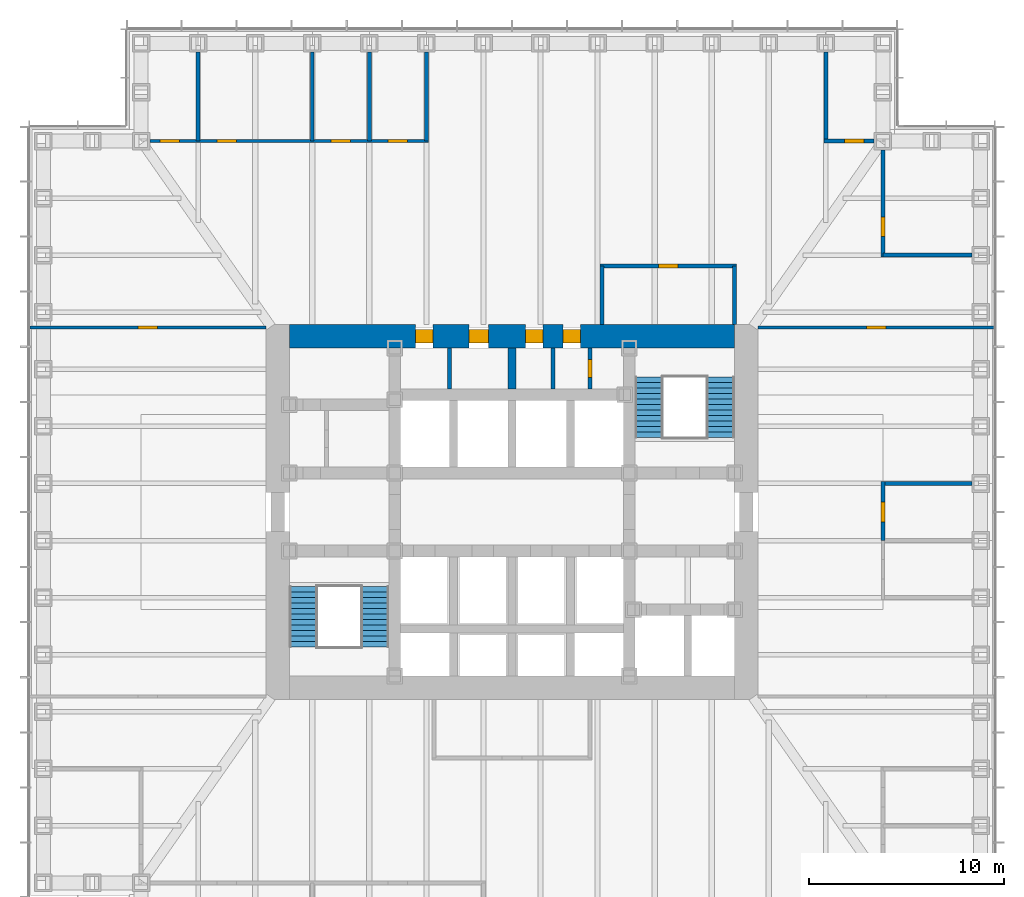
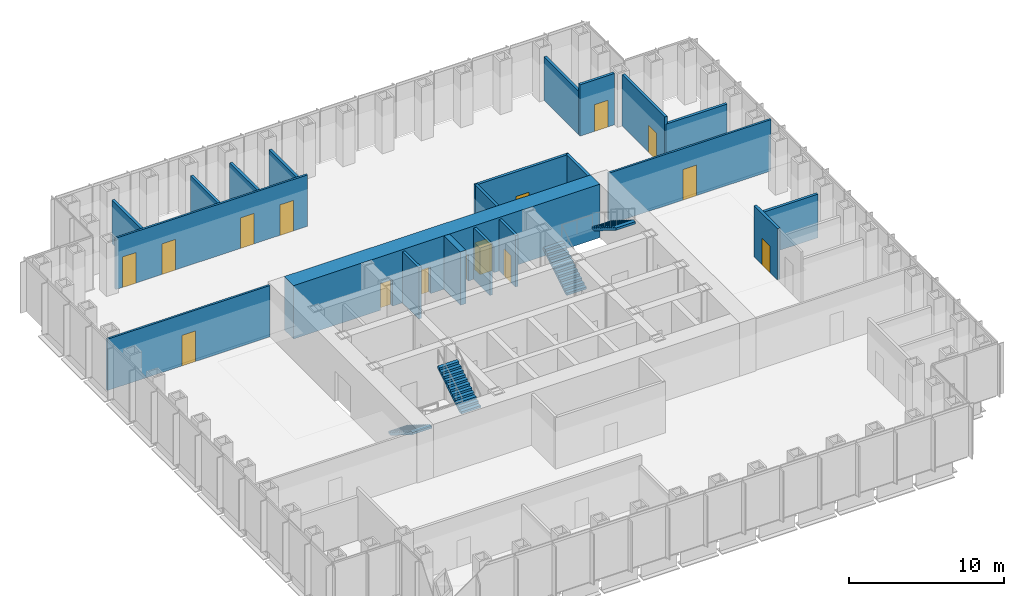
# One storey, part 10 of 16: 21 walls, 15 doors, 4 stair flights, 15 openings, 2 elements without a shape of their own.
"""IFC4 building model written with IfcOpenShell, lengths in metres."""

from ifc_helpers import new_model, si_unit, direction, frame, frame_2d, origin, place, context, subcontext, project, spatial, polyline, rectangle, outline, extrude, material, layer, layer_set, type_object, element, fill, aggregate, save


model = new_model("IFC4")

# Units and contexts
model_context = context("Model", 3, precision=1e-05, world=origin(), true_north=direction((0.0, 1.0)))
body_context = subcontext(model_context, "Body", "Model", "MODEL_VIEW")
ifc_project = project(units=[si_unit("LENGTHUNIT", "METRE"), si_unit("AREAUNIT", "SQUARE_METRE"), si_unit("VOLUMEUNIT", "CUBIC_METRE"), si_unit("PLANEANGLEUNIT", "RADIAN"), si_unit("MASSUNIT", "GRAM", prefix="KILO")], contexts=[model_context])

# Site, building, storey
site_placement = place(None, origin())
site = spatial("IfcSite", under=ifc_project, at=site_placement, CompositionType="ELEMENT")
building_placement = place(site_placement, origin())
building = spatial("IfcBuilding", under=site, at=building_placement, Name="Daluyong Arena Tower", CompositionType="ELEMENT")
storey_placement = place(building_placement, frame((0.0, 0.0, 64.300048828125)))
storey = spatial("IfcBuildingStorey", under=building, at=storey_placement, Name="L13", CompositionType="ELEMENT", Elevation=64.300048828125)

# Wall, openings, doors
ifc_material_1 = material(Name="Concrete fc' 60 MPa", Category="concrete")
ifc_layer_1 = layer(ifc_material_1, 1.199951171875)
ifc_layer_set_1 = layer_set([ifc_layer_1], Name="Concrete fc' 60 MPa")
wall_type_1 = type_object("IfcWallType", Name="Core wall 1200", PredefinedType="SHEAR", material=ifc_layer_set_1)
wall_1_placement = place(storey_placement, frame((44.60009765625, 89.0, 0.0), z_axis=(0.0, 0.0, 1.0), x_axis=(1.0, 0.0, 0.0)))
wall_1 = element("IfcWall", 1, at=wall_1_placement, inside=storey, type_object=wall_type_1, Name="core wall at L13", PredefinedType="SHEAR", context=body_context, shape_type="SweptSolid", body=[
    extrude(rectangle(XDim=22.7998046875, YDim=1.199951171875, at=frame_2d((11.39990234375, 0.0))), origin(), (0.0, 0.0, 1.0), 4.199951171875),
])
opening_1_placement = place(wall_1_placement, frame((9.199951171875, 0.0, 0.0)))
opening_1 = element("IfcOpeningElement", 2, at=opening_1_placement, cuts=wall_1, Name="Opening 13004", PredefinedType="OPENING", context=body_context, shape_type="SweptSolid", body=[
    extrude(rectangle(XDim=1.0, YDim=2.10009765625, at=frame_2d((0.5, 1.050048828125))), frame((0.0, 0.60986328125, 0.0), z_axis=(0.0, -1.0, 0.0), x_axis=(1.0, 0.0, 0.0)), (0.0, 0.0, 1.0), 1.219970703125),
])
opening_2_placement = place(wall_1_placement, frame((6.449951171875, 0.0, 0.0)))
opening_2 = element("IfcOpeningElement", 3, at=opening_2_placement, cuts=wall_1, Name="Opening 13005", PredefinedType="OPENING", context=body_context, shape_type="SweptSolid", body=[
    extrude(rectangle(XDim=0.89990234375, YDim=2.10009765625, at=frame_2d((0.449951171875, 1.050048828125))), frame((0.0, 0.60986328125, 0.0), z_axis=(0.0, -1.0, 0.0), x_axis=(1.0, 0.0, 0.0)), (0.0, 0.0, 1.0), 1.219970703125),
])
opening_3_placement = place(wall_1_placement, frame((12.10009765625, 0.0, 0.0)))
opening_3 = element("IfcOpeningElement", 4, at=opening_3_placement, cuts=wall_1, Name="Opening 13006", PredefinedType="OPENING", context=body_context, shape_type="SweptSolid", body=[
    extrude(rectangle(XDim=0.89990234375, YDim=2.10009765625, at=frame_2d((0.449951171875, 1.050048828125))), frame((0.0, 0.60986328125, 0.0), z_axis=(0.0, -1.0, 0.0), x_axis=(1.0, 0.0, 0.0)), (0.0, 0.0, 1.0), 1.219970703125),
])
opening_4_placement = place(wall_1_placement, frame((14.0, 0.0, 0.0)))
opening_4 = element("IfcOpeningElement", 5, at=opening_4_placement, cuts=wall_1, Name="Opening 13007", PredefinedType="OPENING", context=body_context, shape_type="SweptSolid", body=[
    extrude(rectangle(XDim=0.89990234375, YDim=2.10009765625, at=frame_2d((0.449951171875, 1.050048828125))), frame((0.0, 0.60986328125, 0.0), z_axis=(0.0, -1.0, 0.0), x_axis=(1.0, 0.0, 0.0)), (0.0, 0.0, 1.0), 1.219970703125),
])
ifc_material_2 = material(Name="Timber door", Category="wood")
door_type_1 = type_object("IfcDoorType", Name="Accessible toilet door 1000", OperationType="SINGLE_SWING_LEFT", PredefinedType="DOOR", material=ifc_material_2)
door_1_placement = place(opening_1_placement, origin())
door_1 = element("IfcDoor", 6, at=door_1_placement, inside=storey, type_object=door_type_1, Name="accessible toilet door 13004", OperationType="SINGLE_SWING_LEFT", OverallHeight=2.10009765625, OverallWidth=1.0, PredefinedType="DOOR", context=body_context, shape_type="SweptSolid", body=[
    extrude(rectangle(XDim=1.0, YDim=2.10009765625, at=frame_2d((0.5, 1.050048828125))), frame((0.0, 0.35009765625, 0.0), z_axis=(0.0, -1.0, 0.0), x_axis=(1.0, 0.0, 0.0)), (0.0, 0.0, 1.0), 0.699951171875),
])
fill(opening_1, door_1)
ifc_material_3 = material(Name="Steel door, fire rated", Category="steel")
door_type_2 = type_object("IfcDoorType", Name="Core room door 900", OperationType="SINGLE_SWING_LEFT", PredefinedType="DOOR", material=ifc_material_3)
door_2_placement = place(opening_3_placement, origin())
door_2 = element("IfcDoor", 7, at=door_2_placement, inside=storey, type_object=door_type_2, Name="tea point door 13006", OperationType="SINGLE_SWING_LEFT", OverallHeight=2.10009765625, OverallWidth=0.89990234375, PredefinedType="DOOR", context=body_context, shape_type="SweptSolid", body=[
    extrude(rectangle(XDim=0.89990234375, YDim=2.10009765625, at=frame_2d((0.449951171875, 1.050048828125))), frame((0.0, 0.35009765625, 0.0), z_axis=(0.0, -1.0, 0.0), x_axis=(1.0, 0.0, 0.0)), (0.0, 0.0, 1.0), 0.699951171875),
])
fill(opening_3, door_2)
ifc_material_4 = material(Name="Steel door, fire rated", Category="steel")
door_type_3 = type_object("IfcDoorType", Name="Core store door 900", OperationType="SINGLE_SWING_LEFT", PredefinedType="DOOR", material=ifc_material_4)
door_3_placement = place(opening_2_placement, origin())
door_3 = element("IfcDoor", 8, at=door_3_placement, inside=storey, type_object=door_type_3, Name="facilities store door 13005", OperationType="SINGLE_SWING_LEFT", OverallHeight=2.10009765625, OverallWidth=0.89990234375, PredefinedType="DOOR", context=body_context, shape_type="SweptSolid", body=[
    extrude(rectangle(XDim=0.89990234375, YDim=2.10009765625, at=frame_2d((0.449951171875, 1.050048828125))), frame((0.0, 0.35009765625, 0.0), z_axis=(0.0, -1.0, 0.0), x_axis=(1.0, 0.0, 0.0)), (0.0, 0.0, 1.0), 0.699951171875),
])
fill(opening_2, door_3)
door_4_placement = place(opening_4_placement, origin())
door_4 = element("IfcDoor", 9, at=door_4_placement, inside=storey, type_object=door_type_3, Name="cleaner's store door 13007", OperationType="SINGLE_SWING_LEFT", OverallHeight=2.10009765625, OverallWidth=0.89990234375, PredefinedType="DOOR", context=body_context, shape_type="SweptSolid", body=[
    extrude(rectangle(XDim=0.89990234375, YDim=2.10009765625, at=frame_2d((0.449951171875, 1.050048828125))), frame((0.0, 0.35009765625, 0.0), z_axis=(0.0, -1.0, 0.0), x_axis=(1.0, 0.0, 0.0)), (0.0, 0.0, 1.0), 0.699951171875),
])
fill(opening_4, door_4)

# Wall
ifc_material_5 = material(Name="Concrete block partition, fire rated", Category="concrete")
ifc_layer_2 = layer(ifc_material_5, 0.199951171875)
ifc_layer_set_2 = layer_set([ifc_layer_2], Name="Concrete block partition, fire rated")
wall_type_2 = type_object("IfcWallType", Name="Fire-rated partition 200", PredefinedType="PARTITIONING", material=ifc_layer_set_2)
wall_2_placement = place(storey_placement, frame((52.800048828125, 86.300048828125, 0.0), z_axis=(0.0, 0.0, 1.0), x_axis=(0.0, 1.0, 0.0)))
element("IfcWall", 10, at=wall_2_placement, inside=storey, type_object=wall_type_2, Name="core room partition at L13", PredefinedType="PARTITIONING", context=body_context, shape_type="SweptSolid", body=[
    extrude(rectangle(XDim=2.099853515625, YDim=0.199951171875, at=frame_2d((1.0498046875, 0.0))), origin(), (0.0, 0.0, 1.0), 4.0400390625),
])

# Wall, opening, door
wall_3_placement = place(storey_placement, frame((60.0, 86.300048828125, 0.0), z_axis=(0.0, 0.0, 1.0), x_axis=(0.0, 1.0, 0.0)))
wall_3 = element("IfcWall", 11, at=wall_3_placement, inside=storey, type_object=wall_type_2, Name="electrical riser enclosure at L13", PredefinedType="PARTITIONING", context=body_context, shape_type="SweptSolid", body=[
    extrude(rectangle(XDim=2.099853515625, YDim=0.199951171875, at=frame_2d((1.0498046875, 0.0))), origin(), (0.0, 0.0, 1.0), 4.0400390625),
])
opening_5_placement = place(wall_3_placement, frame((0.60009765625, 0.0, 0.0)))
opening_5 = element("IfcOpeningElement", 12, at=opening_5_placement, cuts=wall_3, Name="Opening 13008", PredefinedType="OPENING", context=body_context, shape_type="SweptSolid", body=[
    extrude(rectangle(XDim=0.89990234375, YDim=2.10009765625, at=frame_2d((0.449951171875, 1.050048828125))), frame((0.0, 0.10986328125, 0.0), z_axis=(0.0, -1.0, 0.0), x_axis=(1.0, 0.0, 0.0)), (0.0, 0.0, 1.0), 0.219970703125),
])
ifc_material_6 = material(Name="Steel door, fire rated", Category="steel")
door_type_4 = type_object("IfcDoorType", Name="Riser door 900", OperationType="SINGLE_SWING_LEFT", PredefinedType="DOOR", material=ifc_material_6)
door_5_placement = place(opening_5_placement, origin())
door_5 = element("IfcDoor", 13, at=door_5_placement, inside=storey, type_object=door_type_4, Name="riser door 13008", OperationType="SINGLE_SWING_LEFT", OverallHeight=2.10009765625, OverallWidth=0.89990234375, PredefinedType="DOOR", context=body_context, shape_type="SweptSolid", body=[
    extrude(rectangle(XDim=0.89990234375, YDim=2.10009765625, at=frame_2d((0.449951171875, 1.050048828125))), frame((0.0, 0.099609375, 0.0), z_axis=(0.0, -1.0, 0.0), x_axis=(1.0, 0.0, 0.0)), (0.0, 0.0, 1.0), 0.199462890625),
])
fill(opening_5, door_5)

# Wall
wall_4_placement = place(storey_placement, frame((58.10009765625, 86.300048828125, 0.0), z_axis=(0.0, 0.0, 1.0), x_axis=(0.0, 1.0, 0.0)))
element("IfcWall", 14, at=wall_4_placement, inside=storey, type_object=wall_type_2, Name="core room partition at L13", PredefinedType="PARTITIONING", context=body_context, shape_type="SweptSolid", body=[
    extrude(rectangle(XDim=2.099853515625, YDim=0.199951171875, at=frame_2d((1.0498046875, 0.0))), origin(), (0.0, 0.0, 1.0), 4.0400390625),
])

# Wall, opening, door
ifc_material_7 = material(Name="Glazed aluminium partition", Category="aluminium")
ifc_layer_3 = layer(ifc_material_7, 0.14990234375)
ifc_layer_set_3 = layer_set([ifc_layer_3], Name="Glazed aluminium partition")
wall_type_3 = type_object("IfcWallType", Name="Glazed partition 150", PredefinedType="PARTITIONING", material=ifc_layer_set_3)
wall_5_placement = place(storey_placement, frame((31.31005859375, 89.449951171875, 0.0), z_axis=(0.0, 0.0, 1.0), x_axis=(1.0, 0.0, 0.0)))
wall_5 = element("IfcWall", 15, at=wall_5_placement, inside=storey, type_object=wall_type_3, Name="glazed partition at L13", PredefinedType="PARTITIONING", context=body_context, shape_type="SweptSolid", body=[
    extrude(rectangle(XDim=12.08984375, YDim=0.14990234375, at=frame_2d((6.044921875, 0.0))), origin(), (0.0, 0.0, 1.0), 4.0400390625),
])
opening_6_placement = place(wall_5_placement, frame((5.544921875, 0.0, 0.0)))
opening_6 = element("IfcOpeningElement", 16, at=opening_6_placement, cuts=wall_5, Name="Opening 13038", PredefinedType="OPENING", context=body_context, shape_type="SweptSolid", body=[
    extrude(rectangle(XDim=1.0, YDim=2.39990234375, at=frame_2d((0.5, 1.199951171875))), frame((0.0, 0.0849609375, 0.0), z_axis=(0.0, -1.0, 0.0), x_axis=(1.0, 0.0, 0.0)), (0.0, 0.0, 1.0), 0.169921875),
])
ifc_material_8 = material(Name="Glazed aluminium door", Category="aluminium")
door_type_5 = type_object("IfcDoorType", Name="Meeting room glazed door 1000", OperationType="SINGLE_SWING_RIGHT", PredefinedType="DOOR", material=ifc_material_8)
door_6_placement = place(opening_6_placement, origin())
door_6 = element("IfcDoor", 17, at=door_6_placement, inside=storey, type_object=door_type_5, Name="team area screen door 13038", OperationType="SINGLE_SWING_RIGHT", OverallHeight=2.39990234375, OverallWidth=1.0, PredefinedType="DOOR", context=body_context, shape_type="SweptSolid", body=[
    extrude(rectangle(XDim=1.0, YDim=2.39990234375, at=frame_2d((0.5, 1.199951171875))), frame((0.0, 0.07470703125, 0.0), z_axis=(0.0, -1.0, 0.0), x_axis=(1.0, 0.0, 0.0)), (0.0, 0.0, 1.0), 0.1494140625),
])
fill(opening_6, door_6)

wall_6_placement = place(storey_placement, frame((68.60009765625, 89.449951171875, 0.0), z_axis=(0.0, 0.0, 1.0), x_axis=(1.0, 0.0, 0.0)))
wall_6 = element("IfcWall", 18, at=wall_6_placement, inside=storey, type_object=wall_type_3, Name="glazed partition at L13", PredefinedType="PARTITIONING", context=body_context, shape_type="SweptSolid", body=[
    extrude(rectangle(XDim=12.08984375, YDim=0.14990234375, at=frame_2d((6.044921875, 0.0))), origin(), (0.0, 0.0, 1.0), 4.0400390625),
])
opening_7_placement = place(wall_6_placement, frame((5.544921875, 0.0, 0.0)))
opening_7 = element("IfcOpeningElement", 19, at=opening_7_placement, cuts=wall_6, Name="Opening 13040", PredefinedType="OPENING", context=body_context, shape_type="SweptSolid", body=[
    extrude(rectangle(XDim=1.0, YDim=2.39990234375, at=frame_2d((0.5, 1.199951171875))), frame((0.0, 0.0849609375, 0.0), z_axis=(0.0, -1.0, 0.0), x_axis=(1.0, 0.0, 0.0)), (0.0, 0.0, 1.0), 0.169921875),
])
door_7_placement = place(opening_7_placement, origin())
door_7 = element("IfcDoor", 20, at=door_7_placement, inside=storey, type_object=door_type_5, Name="team area screen door 13040", OperationType="SINGLE_SWING_RIGHT", OverallHeight=2.39990234375, OverallWidth=1.0, PredefinedType="DOOR", context=body_context, shape_type="SweptSolid", body=[
    extrude(rectangle(XDim=1.0, YDim=2.39990234375, at=frame_2d((0.5, 1.199951171875))), frame((0.0, 0.07470703125, 0.0), z_axis=(0.0, -1.0, 0.0), x_axis=(1.0, 0.0, 0.0)), (0.0, 0.0, 1.0), 0.1494140625),
])
fill(opening_7, door_7)

# Wall, openings, doors
wall_7_placement = place(storey_placement, frame((37.449951171875, 99.0, 0.0), z_axis=(0.0, 0.0, 1.0), x_axis=(1.0, 0.0, 0.0)))
wall_7 = element("IfcWall", 21, at=wall_7_placement, inside=storey, type_object=wall_type_3, Name="glazed partition at L13", PredefinedType="PARTITIONING", context=body_context, shape_type="SweptSolid", body=[
    extrude(rectangle(XDim=14.265380859375, YDim=0.14990234375, at=frame_2d((7.1328125, 0.0))), origin(), (0.0, 0.0, 1.0), 4.0400390625),
])
opening_8_placement = place(wall_7_placement, frame((0.511474609375, 0.0, 0.0)))
opening_8 = element("IfcOpeningElement", 22, at=opening_8_placement, cuts=wall_7, Name="Opening 13029", PredefinedType="OPENING", context=body_context, shape_type="SweptSolid", body=[
    extrude(rectangle(XDim=1.0, YDim=2.39990234375, at=frame_2d((0.5, 1.199951171875))), frame((0.0, 0.0849609375, 0.0), z_axis=(0.0, -1.0, 0.0), x_axis=(1.0, 0.0, 0.0)), (0.0, 0.0, 1.0), 0.169921875),
])
opening_9_placement = place(wall_7_placement, frame((3.4345703125, 0.0, 0.0)))
opening_9 = element("IfcOpeningElement", 23, at=opening_9_placement, cuts=wall_7, Name="Opening 13030", PredefinedType="OPENING", context=body_context, shape_type="SweptSolid", body=[
    extrude(rectangle(XDim=1.0, YDim=2.39990234375, at=frame_2d((0.5, 1.199951171875))), frame((0.0, 0.0849609375, 0.0), z_axis=(0.0, -1.0, 0.0), x_axis=(1.0, 0.0, 0.0)), (0.0, 0.0, 1.0), 0.169921875),
])
opening_10_placement = place(wall_7_placement, frame((9.28076171875, 0.0, 0.0)))
opening_10 = element("IfcOpeningElement", 24, at=opening_10_placement, cuts=wall_7, Name="Opening 13031", PredefinedType="OPENING", context=body_context, shape_type="SweptSolid", body=[
    extrude(rectangle(XDim=1.0, YDim=2.39990234375, at=frame_2d((0.5, 1.199951171875))), frame((0.0, 0.0849609375, 0.0), z_axis=(0.0, -1.0, 0.0), x_axis=(1.0, 0.0, 0.0)), (0.0, 0.0, 1.0), 0.169921875),
])
opening_11_placement = place(wall_7_placement, frame((12.203857421875, 0.0, 0.0)))
opening_11 = element("IfcOpeningElement", 25, at=opening_11_placement, cuts=wall_7, Name="Opening 13032", PredefinedType="OPENING", context=body_context, shape_type="SweptSolid", body=[
    extrude(rectangle(XDim=1.0, YDim=2.39990234375, at=frame_2d((0.5, 1.199951171875))), frame((0.0, 0.0849609375, 0.0), z_axis=(0.0, -1.0, 0.0), x_axis=(1.0, 0.0, 0.0)), (0.0, 0.0, 1.0), 0.169921875),
])
door_8_placement = place(opening_8_placement, origin())
door_8 = element("IfcDoor", 26, at=door_8_placement, inside=storey, type_object=door_type_5, Name="meeting room door 13029", OperationType="SINGLE_SWING_RIGHT", OverallHeight=2.39990234375, OverallWidth=1.0, PredefinedType="DOOR", context=body_context, shape_type="SweptSolid", body=[
    extrude(rectangle(XDim=1.0, YDim=2.39990234375, at=frame_2d((0.5, 1.199951171875))), frame((0.0, 0.07470703125, 0.0), z_axis=(0.0, -1.0, 0.0), x_axis=(1.0, 0.0, 0.0)), (0.0, 0.0, 1.0), 0.1494140625),
])
fill(opening_8, door_8)
door_9_placement = place(opening_9_placement, origin())
door_9 = element("IfcDoor", 27, at=door_9_placement, inside=storey, type_object=door_type_5, Name="meeting room door 13030", OperationType="SINGLE_SWING_RIGHT", OverallHeight=2.39990234375, OverallWidth=1.0, PredefinedType="DOOR", context=body_context, shape_type="SweptSolid", body=[
    extrude(rectangle(XDim=1.0, YDim=2.39990234375, at=frame_2d((0.5, 1.199951171875))), frame((0.0, 0.07470703125, 0.0), z_axis=(0.0, -1.0, 0.0), x_axis=(1.0, 0.0, 0.0)), (0.0, 0.0, 1.0), 0.1494140625),
])
fill(opening_9, door_9)
door_10_placement = place(opening_10_placement, origin())
door_10 = element("IfcDoor", 28, at=door_10_placement, inside=storey, type_object=door_type_5, Name="focus room door 13031", OperationType="SINGLE_SWING_RIGHT", OverallHeight=2.39990234375, OverallWidth=1.0, PredefinedType="DOOR", context=body_context, shape_type="SweptSolid", body=[
    extrude(rectangle(XDim=1.0, YDim=2.39990234375, at=frame_2d((0.5, 1.199951171875))), frame((0.0, 0.07470703125, 0.0), z_axis=(0.0, -1.0, 0.0), x_axis=(1.0, 0.0, 0.0)), (0.0, 0.0, 1.0), 0.1494140625),
])
fill(opening_10, door_10)
door_11_placement = place(opening_11_placement, origin())
door_11 = element("IfcDoor", 29, at=door_11_placement, inside=storey, type_object=door_type_5, Name="focus room door 13032", OperationType="SINGLE_SWING_RIGHT", OverallHeight=2.39990234375, OverallWidth=1.0, PredefinedType="DOOR", context=body_context, shape_type="SweptSolid", body=[
    extrude(rectangle(XDim=1.0, YDim=2.39990234375, at=frame_2d((0.5, 1.199951171875))), frame((0.0, 0.07470703125, 0.0), z_axis=(0.0, -1.0, 0.0), x_axis=(1.0, 0.0, 0.0)), (0.0, 0.0, 1.0), 0.1494140625),
])
fill(opening_11, door_11)

# Walls
ifc_material_9 = material(Name="Concrete fc' 45 MPa", Category="concrete")
ifc_layer_4 = layer(ifc_material_9, 0.39990234375)
ifc_layer_set_4 = layer_set([ifc_layer_4], Name="Concrete fc' 45 MPa")
wall_type_4 = type_object("IfcWallType", Name="Lift shaft wall 400", PredefinedType="SHEAR", material=ifc_layer_set_4)
wall_8_placement = place(storey_placement, frame((56.0, 86.300048828125, 0.0), z_axis=(0.0, 0.0, 1.0), x_axis=(0.0, 1.0, 0.0)))
element("IfcWall", 30, at=wall_8_placement, inside=storey, type_object=wall_type_4, Name="lift shaft wall at L13", PredefinedType="SHEAR", context=body_context, shape_type="SweptSolid", body=[
    extrude(rectangle(XDim=2.099853515625, YDim=0.39990234375, at=frame_2d((1.0498046875, 0.0))), origin(), (0.0, 0.0, 1.0), 4.199951171875),
])
ifc_material_10 = material(Name="Concrete block partition", Category="concrete")
ifc_layer_5 = layer(ifc_material_10, 0.199951171875)
ifc_layer_set_5 = layer_set([ifc_layer_5], Name="Concrete block partition")
wall_type_5 = type_object("IfcWallType", Name="Partition 200", PredefinedType="PARTITIONING", material=ifc_layer_set_5)
for number, where, z_axis, x_axis, name in (
    (31, (75.0, 81.46142578125, 0.0), (0.0, 0.0, 1.0), (1.0, 0.0, 0.0), "partition at L13"),
    (32, (75.0, 93.15380859375, 0.0), (0.0, 0.0, 1.0), (1.0, 0.0, 0.0), "partition at L13"),
    (33, (39.923095703125, 99.0, 0.0), (0.0, 0.0, 1.0), (0.0, 1.0, 0.0), "partition at L13"),
):
    element("IfcWall", number, at=place(storey_placement, frame(where, z_axis=z_axis, x_axis=x_axis)), inside=storey, type_object=wall_type_5, Name=name, PredefinedType="PARTITIONING", context=body_context, shape_type="SweptSolid", body=[
        extrude(rectangle(XDim=4.550048828125, YDim=0.199951171875, at=frame_2d((2.27490234375, 0.0))), origin(), (0.0, 0.0, 1.0), 3.427734375),
    ])
for number, where, z_axis, x_axis, name in (
    (34, (45.769287109375, 99.0, 0.0), (0.0, 0.0, 1.0), (0.0, 1.0, 0.0), "partition at L13"),
    (35, (48.6923828125, 99.0, 0.0), (0.0, 0.0, 1.0), (0.0, 1.0, 0.0), "partition at L13"),
    (36, (51.615478515625, 99.0, 0.0), (0.0, 0.0, 1.0), (0.0, 1.0, 0.0), "partition at L13"),
):
    element("IfcWall", number, at=place(storey_placement, frame(where, z_axis=z_axis, x_axis=x_axis)), inside=storey, type_object=wall_type_5, Name=name, PredefinedType="PARTITIONING", context=body_context, shape_type="SweptSolid", body=[
        extrude(rectangle(XDim=4.550048828125, YDim=0.199951171875, at=frame_2d((2.27490234375, 0.0))), origin(), (0.0, 0.0, 1.0), 3.27783203125),
    ])
wall_9_placement = place(storey_placement, frame((72.076904296875, 99.0, 0.0), z_axis=(0.0, 0.0, 1.0), x_axis=(0.0, 1.0, 0.0)))
element("IfcWall", 37, at=wall_9_placement, inside=storey, type_object=wall_type_5, Name="partition at L13", PredefinedType="PARTITIONING", context=body_context, shape_type="SweptSolid", body=[
    extrude(rectangle(XDim=4.550048828125, YDim=0.199951171875, at=frame_2d((2.27490234375, 0.0))), origin(), (0.0, 0.0, 1.0), 3.427734375),
])
for number, where, z_axis, x_axis, name in (
    (38, (60.60009765625, 89.60009765625, 0.0), (0.0, 0.0, 1.0), (0.0, 1.0, 0.0), "partition at L13"),
    (39, (67.39990234375, 89.60009765625, 0.0), (0.0, 0.0, 1.0), (0.0, 1.0, 0.0), "partition at L13"),
):
    element("IfcWall", number, at=place(storey_placement, frame(where, z_axis=z_axis, x_axis=x_axis)), inside=storey, type_object=wall_type_5, Name=name, PredefinedType="PARTITIONING", context=body_context, shape_type="SweptSolid", body=[
        extrude(rectangle(XDim=3.0, YDim=0.199951171875, at=frame_2d((1.5, 0.0))), origin(), (0.0, 0.0, 1.0), 4.0400390625),
    ])

# Wall, opening, door
wall_10_placement = place(storey_placement, frame((60.5, 92.60009765625, 0.0), z_axis=(0.0, 0.0, 1.0), x_axis=(1.0, 0.0, 0.0)))
wall_10 = element("IfcWall", 40, at=wall_10_placement, inside=storey, type_object=wall_type_5, Name="partition at L13", PredefinedType="PARTITIONING", context=body_context, shape_type="SweptSolid", body=[
    extrude(rectangle(XDim=7.0, YDim=0.199951171875, at=frame_2d((3.5, 0.0))), origin(), (0.0, 0.0, 1.0), 4.0400390625),
])
opening_12_placement = place(wall_10_placement, frame((3.0, 0.0, 0.0)))
opening_12 = element("IfcOpeningElement", 41, at=opening_12_placement, cuts=wall_10, Name="Opening 13035", PredefinedType="OPENING", context=body_context, shape_type="SweptSolid", body=[
    extrude(rectangle(XDim=1.0, YDim=2.10009765625, at=frame_2d((0.5, 1.050048828125))), frame((0.0, 0.10986328125, 0.0), z_axis=(0.0, -1.0, 0.0), x_axis=(1.0, 0.0, 0.0)), (0.0, 0.0, 1.0), 0.219970703125),
])
ifc_material_11 = material(Name="Timber door", Category="wood")
door_type_6 = type_object("IfcDoorType", Name="Room door 1000", OperationType="SINGLE_SWING_LEFT", PredefinedType="DOOR", material=ifc_material_11)
door_12_placement = place(opening_12_placement, origin())
door_12 = element("IfcDoor", 42, at=door_12_placement, inside=storey, type_object=door_type_6, Name="locker room door 13035", OperationType="SINGLE_SWING_LEFT", OverallHeight=2.10009765625, OverallWidth=1.0, PredefinedType="DOOR", context=body_context, shape_type="SweptSolid", body=[
    extrude(rectangle(XDim=1.0, YDim=2.10009765625, at=frame_2d((0.5, 1.050048828125))), frame((0.0, 0.099609375, 0.0), z_axis=(0.0, -1.0, 0.0), x_axis=(1.0, 0.0, 0.0)), (0.0, 0.0, 1.0), 0.199462890625),
])
fill(opening_12, door_12)

wall_11_placement = place(storey_placement, frame((71.976806640625, 99.0, 0.0), z_axis=(0.0, 0.0, 1.0), x_axis=(1.0, 0.0, 0.0)))
wall_11 = element("IfcWall", 43, at=wall_11_placement, inside=storey, type_object=wall_type_5, Name="partition at L13", PredefinedType="PARTITIONING", context=body_context, shape_type="SweptSolid", body=[
    extrude(rectangle(XDim=2.5732421875, YDim=0.199951171875, at=frame_2d((1.28662109375, 0.0))), origin(), (0.0, 0.0, 1.0), 4.0400390625),
])
opening_13_placement = place(wall_11_placement, frame((1.0615234375, 0.0, 0.0)))
opening_13 = element("IfcOpeningElement", 44, at=opening_13_placement, cuts=wall_11, Name="Opening 13033", PredefinedType="OPENING", context=body_context, shape_type="SweptSolid", body=[
    extrude(rectangle(XDim=1.0, YDim=2.10009765625, at=frame_2d((0.5, 1.050048828125))), frame((0.0, 0.10986328125, 0.0), z_axis=(0.0, -1.0, 0.0), x_axis=(1.0, 0.0, 0.0)), (0.0, 0.0, 1.0), 0.219970703125),
])
door_13_placement = place(opening_13_placement, origin())
door_13 = element("IfcDoor", 45, at=door_13_placement, inside=storey, type_object=door_type_6, Name="wellness room door 13033", OperationType="SINGLE_SWING_LEFT", OverallHeight=2.10009765625, OverallWidth=1.0, PredefinedType="DOOR", context=body_context, shape_type="SweptSolid", body=[
    extrude(rectangle(XDim=1.0, YDim=2.10009765625, at=frame_2d((0.5, 1.050048828125))), frame((0.0, 0.099609375, 0.0), z_axis=(0.0, -1.0, 0.0), x_axis=(1.0, 0.0, 0.0)), (0.0, 0.0, 1.0), 0.199462890625),
])
fill(opening_13, door_13)

wall_12_placement = place(storey_placement, frame((75.0, 78.53857421875, 0.0), z_axis=(0.0, 0.0, 1.0), x_axis=(0.0, 1.0, 0.0)))
wall_12 = element("IfcWall", 46, at=wall_12_placement, inside=storey, type_object=wall_type_5, Name="partition at L13", PredefinedType="PARTITIONING", context=body_context, shape_type="SweptSolid", body=[
    extrude(rectangle(XDim=3.02294921875, YDim=0.199951171875, at=frame_2d((1.511474609375, 0.0))), origin(), (0.0, 0.0, 1.0), 4.0400390625),
])
opening_14_placement = place(wall_12_placement, frame((0.96142578125, 0.0, 0.0)))
opening_14 = element("IfcOpeningElement", 47, at=opening_14_placement, cuts=wall_12, Name="Opening 13027", PredefinedType="OPENING", context=body_context, shape_type="SweptSolid", body=[
    extrude(rectangle(XDim=1.0, YDim=2.10009765625, at=frame_2d((0.5, 1.050048828125))), frame((0.0, 0.10986328125, 0.0), z_axis=(0.0, -1.0, 0.0), x_axis=(1.0, 0.0, 0.0)), (0.0, 0.0, 1.0), 0.219970703125),
])
door_14_placement = place(opening_14_placement, origin())
door_14 = element("IfcDoor", 48, at=door_14_placement, inside=storey, type_object=door_type_6, Name="wellness room door 13027", OperationType="SINGLE_SWING_LEFT", OverallHeight=2.10009765625, OverallWidth=1.0, PredefinedType="DOOR", context=body_context, shape_type="SweptSolid", body=[
    extrude(rectangle(XDim=1.0, YDim=2.10009765625, at=frame_2d((0.5, 1.050048828125))), frame((0.0, 0.099609375, 0.0), z_axis=(0.0, -1.0, 0.0), x_axis=(1.0, 0.0, 0.0)), (0.0, 0.0, 1.0), 0.199462890625),
])
fill(opening_14, door_14)

wall_13_placement = place(storey_placement, frame((75.0, 93.053955078125, 0.0), z_axis=(0.0, 0.0, 1.0), x_axis=(0.0, 1.0, 0.0)))
wall_13 = element("IfcWall", 49, at=wall_13_placement, inside=storey, type_object=wall_type_5, Name="partition at L13", PredefinedType="PARTITIONING", context=body_context, shape_type="SweptSolid", body=[
    extrude(rectangle(XDim=5.49609375, YDim=0.199951171875, at=frame_2d((2.748046875, 0.0))), origin(), (0.0, 0.0, 1.0), 4.0400390625),
])
opening_15_placement = place(wall_13_placement, frame((1.0615234375, 0.0, 0.0)))
opening_15 = element("IfcOpeningElement", 50, at=opening_15_placement, cuts=wall_13, Name="Opening 13028", PredefinedType="OPENING", context=body_context, shape_type="SweptSolid", body=[
    extrude(rectangle(XDim=1.0, YDim=2.10009765625, at=frame_2d((0.5, 1.050048828125))), frame((0.0, 0.10986328125, 0.0), z_axis=(0.0, -1.0, 0.0), x_axis=(1.0, 0.0, 0.0)), (0.0, 0.0, 1.0), 0.219970703125),
])
door_15_placement = place(opening_15_placement, origin())
door_15 = element("IfcDoor", 51, at=door_15_placement, inside=storey, type_object=door_type_6, Name="wellness room door 13028", OperationType="SINGLE_SWING_LEFT", OverallHeight=2.10009765625, OverallWidth=1.0, PredefinedType="DOOR", context=body_context, shape_type="SweptSolid", body=[
    extrude(rectangle(XDim=1.0, YDim=2.10009765625, at=frame_2d((0.5, 1.050048828125))), frame((0.0, 0.099609375, 0.0), z_axis=(0.0, -1.0, 0.0), x_axis=(1.0, 0.0, 0.0)), (0.0, 0.0, 1.0), 0.199462890625),
])
fill(opening_15, door_15)

# Stair, stair flights
ifc_material_12 = material(Name="Concrete fc' 35 MPa", Category="concrete")
stair_type = type_object("IfcStairType", Name="Core exit stair", PredefinedType="HALF_TURN_STAIR", material=ifc_material_12)
stair_1_placement = place(storey_placement, origin())
stair_1 = element("IfcStair", 52, at=stair_1_placement, inside=storey, type_object=stair_type, Name="exit stair A L13", PredefinedType="HALF_TURN_STAIR")
ifc_material_13 = material(Name="Concrete fc' 35 MPa", Category="concrete")
stair_flight_type = type_object("IfcStairFlightType", Name="Core stair flight", PredefinedType="STRAIGHT", material=ifc_material_13)
stair_flight_1_placement = place(storey_placement, frame((45.324951171875, 76.175048828125, 0.0), z_axis=(0.0, 0.0, 1.0), x_axis=(0.0, -1.0, 0.0)))
stair_flight_1 = element("IfcStairFlight", 53, at=stair_flight_1_placement, type_object=stair_flight_type, Name="STA flight 1", NumberOfRisers=12, NumberOfTreads=11, PredefinedType="STRAIGHT", RiserHeight=0.175, TreadLength=0.28, context=body_context, shape_type="SweptSolid", body=[
    extrude(outline(polyline([(0.0, 0.0), (0.0, 0.175048828125), (0.280029296875, 0.175048828125), (0.280029296875, 0.35009765625), (0.56005859375, 0.35009765625), (0.56005859375, 0.52490234375), (0.840087890625, 0.52490234375), (0.840087890625, 0.699951171875), (1.1201171875, 0.699951171875), (1.1201171875, 0.875), (1.39990234375, 0.875), (1.39990234375, 1.050048828125), (1.679931640625, 1.050048828125), (1.679931640625, 1.22509765625), (1.9599609375, 1.22509765625), (1.9599609375, 1.39990234375), (2.239990234375, 1.39990234375), (2.239990234375, 1.574951171875), (2.52001953125, 1.574951171875), (2.52001953125, 1.75), (2.800048828125, 1.75), (2.800048828125, 1.925048828125), (3.080078125, 1.925048828125), (3.080078125, 2.10009765625), (3.080078125, 1.748291015625), (0.28271484375, 0.0), (0.0, 0.0)])), frame((0.0, 0.72509765625, 0.0), z_axis=(0.0, -1.0, 0.0), x_axis=(1.0, 0.0, 0.0)), (0.0, 0.0, 1.0), 1.449951171875),
])
stair_flight_2_placement = place(storey_placement, frame((48.97509765625, 73.094970703125, 2.099853515625), z_axis=(0.0, 0.0, 1.0), x_axis=(0.0, 1.0, 0.0)))
stair_flight_2 = element("IfcStairFlight", 54, at=stair_flight_2_placement, type_object=stair_flight_type, Name="STA flight 2", NumberOfRisers=12, NumberOfTreads=11, PredefinedType="STRAIGHT", RiserHeight=0.175, TreadLength=0.28, context=body_context, shape_type="SweptSolid", body=[
    extrude(outline(polyline([(0.0, 0.0), (0.0, 0.175048828125), (0.280029296875, 0.175048828125), (0.280029296875, 0.35009765625), (0.56005859375, 0.35009765625), (0.56005859375, 0.52490234375), (0.840087890625, 0.52490234375), (0.840087890625, 0.699951171875), (1.1201171875, 0.699951171875), (1.1201171875, 0.875), (1.39990234375, 0.875), (1.39990234375, 1.050048828125), (1.679931640625, 1.050048828125), (1.679931640625, 1.22509765625), (1.9599609375, 1.22509765625), (1.9599609375, 1.39990234375), (2.239990234375, 1.39990234375), (2.239990234375, 1.574951171875), (2.52001953125, 1.574951171875), (2.52001953125, 1.75), (2.800048828125, 1.75), (2.800048828125, 1.925048828125), (3.080078125, 1.925048828125), (3.080078125, 2.10009765625), (3.080078125, 1.748291015625), (0.28271484375, 0.0), (0.0, 0.0)])), frame((0.0, 0.72509765625, 0.0), z_axis=(0.0, -1.0, 0.0), x_axis=(1.0, 0.0, 0.0)), (0.0, 0.0, 1.0), 1.449951171875),
])
aggregate(stair_1, [stair_flight_1, stair_flight_2])

stair_2_placement = place(storey_placement, origin())
stair_2 = element("IfcStair", 55, at=stair_2_placement, inside=storey, type_object=stair_type, Name="exit stair B L13", PredefinedType="HALF_TURN_STAIR")
stair_flight_3_placement = place(storey_placement, frame((63.02490234375, 83.824951171875, 0.0), z_axis=(0.0, 0.0, 1.0), x_axis=(0.0, 1.0, 0.0)))
stair_flight_3 = element("IfcStairFlight", 56, at=stair_flight_3_placement, type_object=stair_flight_type, Name="STB flight 1", NumberOfRisers=12, NumberOfTreads=11, PredefinedType="STRAIGHT", RiserHeight=0.175, TreadLength=0.28, context=body_context, shape_type="SweptSolid", body=[
    extrude(outline(polyline([(0.0, 0.0), (0.0, 0.175048828125), (0.280029296875, 0.175048828125), (0.280029296875, 0.35009765625), (0.56005859375, 0.35009765625), (0.56005859375, 0.52490234375), (0.840087890625, 0.52490234375), (0.840087890625, 0.699951171875), (1.1201171875, 0.699951171875), (1.1201171875, 0.875), (1.39990234375, 0.875), (1.39990234375, 1.050048828125), (1.679931640625, 1.050048828125), (1.679931640625, 1.22509765625), (1.9599609375, 1.22509765625), (1.9599609375, 1.39990234375), (2.239990234375, 1.39990234375), (2.239990234375, 1.574951171875), (2.52001953125, 1.574951171875), (2.52001953125, 1.75), (2.800048828125, 1.75), (2.800048828125, 1.925048828125), (3.080078125, 1.925048828125), (3.080078125, 2.10009765625), (3.080078125, 1.748291015625), (0.28271484375, 0.0), (0.0, 0.0)])), frame((0.0, 0.72509765625, 0.0), z_axis=(0.0, -1.0, 0.0), x_axis=(1.0, 0.0, 0.0)), (0.0, 0.0, 1.0), 1.449951171875),
])
stair_flight_4_placement = place(storey_placement, frame((66.675048828125, 86.905029296875, 2.099853515625), z_axis=(0.0, 0.0, 1.0), x_axis=(0.0, -1.0, 0.0)))
stair_flight_4 = element("IfcStairFlight", 57, at=stair_flight_4_placement, type_object=stair_flight_type, Name="STB flight 2", NumberOfRisers=12, NumberOfTreads=11, PredefinedType="STRAIGHT", RiserHeight=0.175, TreadLength=0.28, context=body_context, shape_type="SweptSolid", body=[
    extrude(outline(polyline([(0.0, 0.0), (0.0, 0.175048828125), (0.280029296875, 0.175048828125), (0.280029296875, 0.35009765625), (0.56005859375, 0.35009765625), (0.56005859375, 0.52490234375), (0.840087890625, 0.52490234375), (0.840087890625, 0.699951171875), (1.1201171875, 0.699951171875), (1.1201171875, 0.875), (1.39990234375, 0.875), (1.39990234375, 1.050048828125), (1.679931640625, 1.050048828125), (1.679931640625, 1.22509765625), (1.9599609375, 1.22509765625), (1.9599609375, 1.39990234375), (2.239990234375, 1.39990234375), (2.239990234375, 1.574951171875), (2.52001953125, 1.574951171875), (2.52001953125, 1.75), (2.800048828125, 1.75), (2.800048828125, 1.925048828125), (3.080078125, 1.925048828125), (3.080078125, 2.10009765625), (3.080078125, 1.748291015625), (0.28271484375, 0.0), (0.0, 0.0)])), frame((0.0, 0.72509765625, 0.0), z_axis=(0.0, -1.0, 0.0), x_axis=(1.0, 0.0, 0.0)), (0.0, 0.0, 1.0), 1.449951171875),
])
aggregate(stair_2, [stair_flight_3, stair_flight_4])

save(model, "model.ifc")
